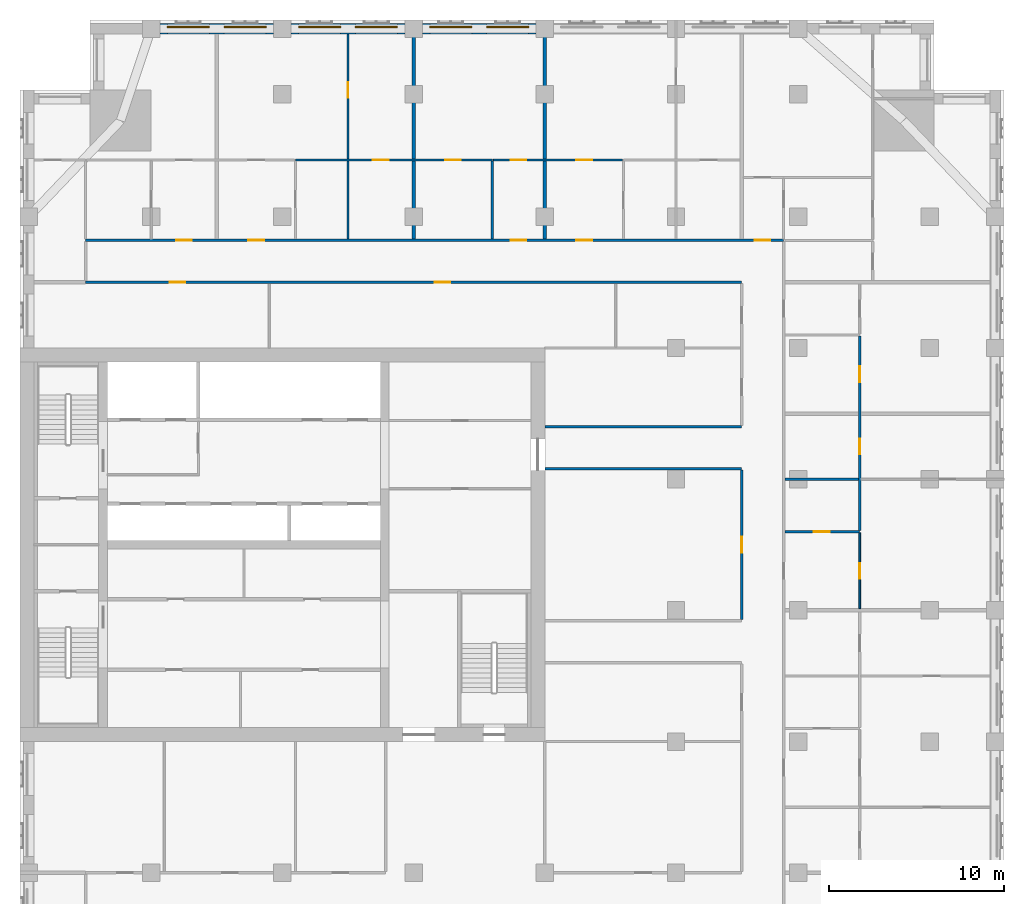
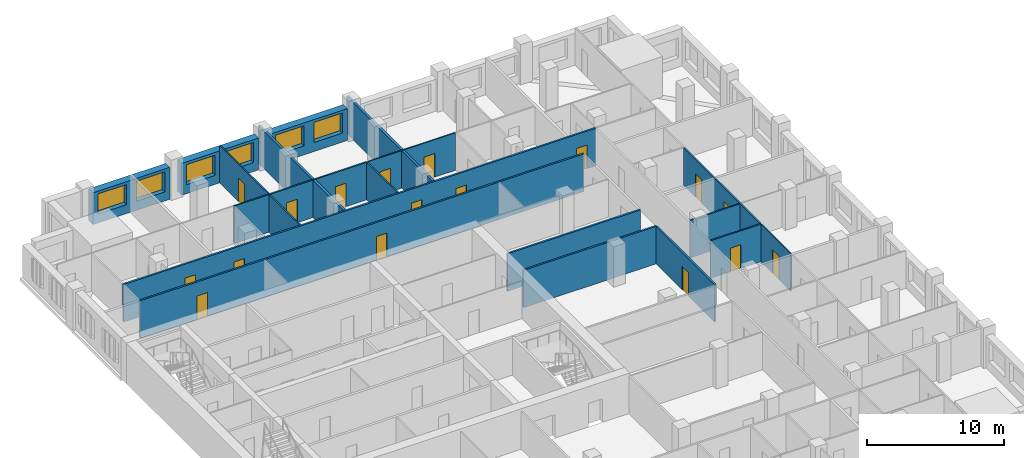
# One storey, part 9 of 13: 19 walls, 17 doors, 6 windows, 23 openings.
"""IFC4 building model written with IfcOpenShell, lengths in metres."""

from ifc_helpers import new_model, si_unit, direction, frame, frame_2d, origin, place, context, subcontext, project, spatial, rectangle, extrude, material, layer, layer_set, type_object, element, fill, save


model = new_model("IFC4")

# Units and contexts
model_context = context("Model", 3, precision=1e-05, world=origin(), true_north=direction((0.0, 1.0)))
body_context = subcontext(model_context, "Body", "Model", "MODEL_VIEW")
ifc_project = project(units=[si_unit("LENGTHUNIT", "METRE"), si_unit("AREAUNIT", "SQUARE_METRE"), si_unit("VOLUMEUNIT", "CUBIC_METRE"), si_unit("PLANEANGLEUNIT", "RADIAN"), si_unit("MASSUNIT", "GRAM", prefix="KILO")], contexts=[model_context])

# Site, building, storey
site_placement = place(None, origin())
site = spatial("IfcSite", under=ifc_project, at=site_placement, CompositionType="ELEMENT")
building_placement = place(site_placement, origin())
building = spatial("IfcBuilding", under=site, at=building_placement, Name="Tamorin Gate", CompositionType="ELEMENT")
storey_placement = place(building_placement, frame((0.0, 0.0, 159.0)))
storey = spatial("IfcBuildingStorey", under=building, at=storey_placement, Name="L39", CompositionType="ELEMENT", Elevation=159.0)

# Wall, openings, windows
ifc_material_1 = material(Name="Precast concrete C40/50", Category="concrete")
ifc_layer_1 = layer(ifc_material_1, 0.60009765625)
ifc_layer_set_1 = layer_set([ifc_layer_1], Name="Precast concrete C40/50")
wall_type_1 = type_object("IfcWallType", Name="Board-marked concrete facade panel 600", PredefinedType="SOLIDWALL", material=ifc_layer_set_1)
wall_1_placement = place(storey_placement, frame((59.5, 100.75, 0.0), z_axis=(0.0, 0.0, 1.0), x_axis=(-1.0, 0.0, 0.0)))
wall_1 = element("IfcWall", 1, at=wall_1_placement, inside=storey, type_object=wall_type_1, Name="Facade panel", PredefinedType="SOLIDWALL", context=body_context, shape_type="SweptSolid", body=[
    extrude(rectangle(XDim=6.5, YDim=0.60009765625, at=frame_2d((3.25, 0.0))), origin(), (0.0, 0.0, 1.0), 2.85009765625),
])
opening_1_placement = place(wall_1_placement, frame((3.675048828125, 0.0, 0.800048828125)))
opening_1 = element("IfcOpeningElement", 2, at=opening_1_placement, cuts=wall_1, Name="Opening WN1", PredefinedType="OPENING", context=body_context, shape_type="SweptSolid", body=[
    extrude(rectangle(XDim=2.39990234375, YDim=1.800048828125, at=frame_2d((1.199951171875, 0.89990234375))), frame((0.0, 0.31005859375, 0.0), z_axis=(0.0, -1.0, 0.0), x_axis=(1.0, 0.0, 0.0)), (0.0, 0.0, 1.0), 0.6201171875),
])
opening_2_placement = place(wall_1_placement, frame((0.425048828125, 0.0, 0.800048828125)))
opening_2 = element("IfcOpeningElement", 3, at=opening_2_placement, cuts=wall_1, Name="Opening WN1", PredefinedType="OPENING", context=body_context, shape_type="SweptSolid", body=[
    extrude(rectangle(XDim=2.39990234375, YDim=1.800048828125, at=frame_2d((1.199951171875, 0.89990234375))), frame((0.0, 0.31005859375, 0.0), z_axis=(0.0, -1.0, 0.0), x_axis=(1.0, 0.0, 0.0)), (0.0, 0.0, 1.0), 0.6201171875),
])
ifc_material_2 = material(Name="Clear glass in aluminium frame", Category="aluminium")
window_type = type_object("IfcWindowType", Name="Deep-set window 2400x1800", PartitioningType="SINGLE_PANEL", PredefinedType="WINDOW", material=ifc_material_2)
window_1_placement = place(opening_1_placement, origin())
window_1 = element("IfcWindow", 4, at=window_1_placement, inside=storey, type_object=window_type, Name="Deep-set window", OverallHeight=1.800048828125, OverallWidth=2.39990234375, PartitioningType="SINGLE_PANEL", PredefinedType="WINDOW", context=body_context, shape_type="SweptSolid", body=[
    extrude(rectangle(XDim=2.39990234375, YDim=1.800048828125, at=frame_2d((1.199951171875, 0.89990234375))), frame((0.0, -0.070068359375, 0.0), z_axis=(0.0, -1.0, 0.0), x_axis=(1.0, 0.0, 0.0)), (0.0, 0.0, 1.0), 0.06005859375),
])
fill(opening_1, window_1)
window_2_placement = place(opening_2_placement, origin())
window_2 = element("IfcWindow", 5, at=window_2_placement, inside=storey, type_object=window_type, Name="Deep-set window", OverallHeight=1.800048828125, OverallWidth=2.39990234375, PartitioningType="SINGLE_PANEL", PredefinedType="WINDOW", context=body_context, shape_type="SweptSolid", body=[
    extrude(rectangle(XDim=2.39990234375, YDim=1.800048828125, at=frame_2d((1.199951171875, 0.89990234375))), frame((0.0, -0.070068359375, 0.0), z_axis=(0.0, -1.0, 0.0), x_axis=(1.0, 0.0, 0.0)), (0.0, 0.0, 1.0), 0.06005859375),
])
fill(opening_2, window_2)

wall_2_placement = place(storey_placement, frame((52.0, 100.75, 0.0), z_axis=(0.0, 0.0, 1.0), x_axis=(-1.0, 0.0, 0.0)))
wall_2 = element("IfcWall", 6, at=wall_2_placement, inside=storey, type_object=wall_type_1, Name="Facade panel", PredefinedType="SOLIDWALL", context=body_context, shape_type="SweptSolid", body=[
    extrude(rectangle(XDim=6.5, YDim=0.60009765625, at=frame_2d((3.25, 0.0))), origin(), (0.0, 0.0, 1.0), 2.85009765625),
])
opening_3_placement = place(wall_2_placement, frame((3.675048828125, 0.0, 0.800048828125)))
opening_3 = element("IfcOpeningElement", 7, at=opening_3_placement, cuts=wall_2, Name="Opening WN1", PredefinedType="OPENING", context=body_context, shape_type="SweptSolid", body=[
    extrude(rectangle(XDim=2.39990234375, YDim=1.800048828125, at=frame_2d((1.199951171875, 0.89990234375))), frame((0.0, 0.31005859375, 0.0), z_axis=(0.0, -1.0, 0.0), x_axis=(1.0, 0.0, 0.0)), (0.0, 0.0, 1.0), 0.6201171875),
])
opening_4_placement = place(wall_2_placement, frame((0.425048828125, 0.0, 0.800048828125)))
opening_4 = element("IfcOpeningElement", 8, at=opening_4_placement, cuts=wall_2, Name="Opening WN1", PredefinedType="OPENING", context=body_context, shape_type="SweptSolid", body=[
    extrude(rectangle(XDim=2.39990234375, YDim=1.800048828125, at=frame_2d((1.199951171875, 0.89990234375))), frame((0.0, 0.31005859375, 0.0), z_axis=(0.0, -1.0, 0.0), x_axis=(1.0, 0.0, 0.0)), (0.0, 0.0, 1.0), 0.6201171875),
])
window_3_placement = place(opening_3_placement, origin())
window_3 = element("IfcWindow", 9, at=window_3_placement, inside=storey, type_object=window_type, Name="Deep-set window", OverallHeight=1.800048828125, OverallWidth=2.39990234375, PartitioningType="SINGLE_PANEL", PredefinedType="WINDOW", context=body_context, shape_type="SweptSolid", body=[
    extrude(rectangle(XDim=2.39990234375, YDim=1.800048828125, at=frame_2d((1.199951171875, 0.89990234375))), frame((0.0, -0.070068359375, 0.0), z_axis=(0.0, -1.0, 0.0), x_axis=(1.0, 0.0, 0.0)), (0.0, 0.0, 1.0), 0.06005859375),
])
fill(opening_3, window_3)
window_4_placement = place(opening_4_placement, origin())
window_4 = element("IfcWindow", 10, at=window_4_placement, inside=storey, type_object=window_type, Name="Deep-set window", OverallHeight=1.800048828125, OverallWidth=2.39990234375, PartitioningType="SINGLE_PANEL", PredefinedType="WINDOW", context=body_context, shape_type="SweptSolid", body=[
    extrude(rectangle(XDim=2.39990234375, YDim=1.800048828125, at=frame_2d((1.199951171875, 0.89990234375))), frame((0.0, -0.070068359375, 0.0), z_axis=(0.0, -1.0, 0.0), x_axis=(1.0, 0.0, 0.0)), (0.0, 0.0, 1.0), 0.06005859375),
])
fill(opening_4, window_4)

wall_3_placement = place(storey_placement, frame((44.5, 100.75, 0.0), z_axis=(0.0, 0.0, 1.0), x_axis=(-1.0, 0.0, 0.0)))
wall_3 = element("IfcWall", 11, at=wall_3_placement, inside=storey, type_object=wall_type_1, Name="Facade panel", PredefinedType="SOLIDWALL", context=body_context, shape_type="SweptSolid", body=[
    extrude(rectangle(XDim=6.5, YDim=0.60009765625, at=frame_2d((3.25, 0.0))), origin(), (0.0, 0.0, 1.0), 2.85009765625),
])
opening_5_placement = place(wall_3_placement, frame((3.675048828125, 0.0, 0.800048828125)))
opening_5 = element("IfcOpeningElement", 12, at=opening_5_placement, cuts=wall_3, Name="Opening WN1", PredefinedType="OPENING", context=body_context, shape_type="SweptSolid", body=[
    extrude(rectangle(XDim=2.39990234375, YDim=1.800048828125, at=frame_2d((1.199951171875, 0.89990234375))), frame((0.0, 0.31005859375, 0.0), z_axis=(0.0, -1.0, 0.0), x_axis=(1.0, 0.0, 0.0)), (0.0, 0.0, 1.0), 0.6201171875),
])
opening_6_placement = place(wall_3_placement, frame((0.425048828125, 0.0, 0.800048828125)))
opening_6 = element("IfcOpeningElement", 13, at=opening_6_placement, cuts=wall_3, Name="Opening WN1", PredefinedType="OPENING", context=body_context, shape_type="SweptSolid", body=[
    extrude(rectangle(XDim=2.39990234375, YDim=1.800048828125, at=frame_2d((1.199951171875, 0.89990234375))), frame((0.0, 0.31005859375, 0.0), z_axis=(0.0, -1.0, 0.0), x_axis=(1.0, 0.0, 0.0)), (0.0, 0.0, 1.0), 0.6201171875),
])
window_5_placement = place(opening_5_placement, origin())
window_5 = element("IfcWindow", 14, at=window_5_placement, inside=storey, type_object=window_type, Name="Deep-set window", OverallHeight=1.800048828125, OverallWidth=2.39990234375, PartitioningType="SINGLE_PANEL", PredefinedType="WINDOW", context=body_context, shape_type="SweptSolid", body=[
    extrude(rectangle(XDim=2.39990234375, YDim=1.800048828125, at=frame_2d((1.199951171875, 0.89990234375))), frame((0.0, -0.070068359375, 0.0), z_axis=(0.0, -1.0, 0.0), x_axis=(1.0, 0.0, 0.0)), (0.0, 0.0, 1.0), 0.06005859375),
])
fill(opening_5, window_5)
window_6_placement = place(opening_6_placement, origin())
window_6 = element("IfcWindow", 15, at=window_6_placement, inside=storey, type_object=window_type, Name="Deep-set window", OverallHeight=1.800048828125, OverallWidth=2.39990234375, PartitioningType="SINGLE_PANEL", PredefinedType="WINDOW", context=body_context, shape_type="SweptSolid", body=[
    extrude(rectangle(XDim=2.39990234375, YDim=1.800048828125, at=frame_2d((1.199951171875, 0.89990234375))), frame((0.0, -0.070068359375, 0.0), z_axis=(0.0, -1.0, 0.0), x_axis=(1.0, 0.0, 0.0)), (0.0, 0.0, 1.0), 0.06005859375),
])
fill(opening_6, window_6)

# Wall, openings, doors
ifc_material_3 = material(Name="Gypsum board partition")
ifc_layer_2 = layer(ifc_material_3, 0.14990234375)
ifc_layer_set_2 = layer_set([ifc_layer_2], Name="Corridor wall 150")
wall_type_2 = type_object("IfcWallType", Name="Corridor wall 150", PredefinedType="PARTITIONING", material=ifc_layer_set_2)
wall_4_placement = place(storey_placement, frame((33.75, 86.25, 0.0), z_axis=(0.0, 0.0, 1.0), x_axis=(1.0, 0.0, 0.0)))
wall_4 = element("IfcWall", 16, at=wall_4_placement, inside=storey, type_object=wall_type_2, Name="Corridor wall 150", PredefinedType="PARTITIONING", context=body_context, shape_type="SweptSolid", body=[
    extrude(rectangle(XDim=37.5, YDim=0.14990234375, at=frame_2d((18.75, 0.0))), origin(), (0.0, 0.0, 1.0), 3.35009765625),
])
opening_7_placement = place(wall_4_placement, frame((4.800048828125, 0.0, 0.0)))
opening_7 = element("IfcOpeningElement", 17, at=opening_7_placement, cuts=wall_4, Name="Opening DS1067", PredefinedType="OPENING", context=body_context, shape_type="SweptSolid", body=[
    extrude(rectangle(XDim=0.89990234375, YDim=2.10009765625, at=frame_2d((0.449951171875, 1.050048828125))), frame((0.0, 0.0849609375, 0.0), z_axis=(0.0, -1.0, 0.0), x_axis=(1.0, 0.0, 0.0)), (0.0, 0.0, 1.0), 0.169921875),
])
opening_8_placement = place(wall_4_placement, frame((19.949951171875, 0.0, 0.0)))
opening_8 = element("IfcOpeningElement", 18, at=opening_8_placement, cuts=wall_4, Name="Opening DS1068", PredefinedType="OPENING", context=body_context, shape_type="SweptSolid", body=[
    extrude(rectangle(XDim=0.89990234375, YDim=2.10009765625, at=frame_2d((0.449951171875, 1.050048828125))), frame((0.0, 0.0849609375, 0.0), z_axis=(0.0, -1.0, 0.0), x_axis=(1.0, 0.0, 0.0)), (0.0, 0.0, 1.0), 0.169921875),
])
ifc_material_4 = material(Name="Timber door leaf", Category="wood")
door_type_1 = type_object("IfcDoorType", Name="Door 900 x 2100 FD30S", OperationType="NOTDEFINED", PredefinedType="DOOR", material=ifc_material_4)
door_1_placement = place(opening_7_placement, origin())
door_1 = element("IfcDoor", 19, at=door_1_placement, inside=storey, type_object=door_type_1, Name="Door DS1067", OperationType="SINGLE_SWING_RIGHT", OverallHeight=2.10009765625, OverallWidth=0.89990234375, PredefinedType="DOOR", context=body_context, shape_type="SweptSolid", body=[
    extrude(rectangle(XDim=0.89990234375, YDim=2.10009765625, at=frame_2d((0.449951171875, 1.050048828125))), frame((0.0, 0.02490234375, 0.0), z_axis=(0.0, -1.0, 0.0), x_axis=(1.0, 0.0, 0.0)), (0.0, 0.0, 1.0), 0.050048828125),
])
fill(opening_7, door_1)
door_2_placement = place(opening_8_placement, origin())
door_2 = element("IfcDoor", 20, at=door_2_placement, inside=storey, type_object=door_type_1, Name="Door DS1068", OperationType="SINGLE_SWING_RIGHT", OverallHeight=2.10009765625, OverallWidth=0.89990234375, PredefinedType="DOOR", context=body_context, shape_type="SweptSolid", body=[
    extrude(rectangle(XDim=0.89990234375, YDim=2.10009765625, at=frame_2d((0.449951171875, 1.050048828125))), frame((0.0, 0.02490234375, 0.0), z_axis=(0.0, -1.0, 0.0), x_axis=(1.0, 0.0, 0.0)), (0.0, 0.0, 1.0), 0.050048828125),
])
fill(opening_8, door_2)

wall_5_placement = place(storey_placement, frame((33.75, 88.64990234375, 0.0), z_axis=(0.0, 0.0, 1.0), x_axis=(1.0, 0.0, 0.0)))
wall_5 = element("IfcWall", 21, at=wall_5_placement, inside=storey, type_object=wall_type_2, Name="Corridor wall 150", PredefinedType="PARTITIONING", context=body_context, shape_type="SweptSolid", body=[
    extrude(rectangle(XDim=39.89990234375, YDim=0.14990234375, at=frame_2d((19.949951171875, 0.0))), origin(), (0.0, 0.0, 1.0), 3.35009765625),
])
opening_9_placement = place(wall_5_placement, frame((5.175048828125, 0.0, 0.0)))
opening_9 = element("IfcOpeningElement", 22, at=opening_9_placement, cuts=wall_5, Name="Opening DS1021", PredefinedType="OPENING", context=body_context, shape_type="SweptSolid", body=[
    extrude(rectangle(XDim=0.89990234375, YDim=2.10009765625, at=frame_2d((0.449951171875, 1.050048828125))), frame((0.0, 0.0849609375, 0.0), z_axis=(0.0, -1.0, 0.0), x_axis=(1.0, 0.0, 0.0)), (0.0, 0.0, 1.0), 0.169921875),
])
opening_10_placement = place(wall_5_placement, frame((9.300048828125, 0.0, 0.0)))
opening_10 = element("IfcOpeningElement", 23, at=opening_10_placement, cuts=wall_5, Name="Opening DS1023", PredefinedType="OPENING", context=body_context, shape_type="SweptSolid", body=[
    extrude(rectangle(XDim=0.89990234375, YDim=2.10009765625, at=frame_2d((0.449951171875, 1.050048828125))), frame((0.0, 0.0849609375, 0.0), z_axis=(0.0, -1.0, 0.0), x_axis=(1.0, 0.0, 0.0)), (0.0, 0.0, 1.0), 0.169921875),
])
opening_11_placement = place(wall_5_placement, frame((24.300048828125, 0.0, 0.0)))
opening_11 = element("IfcOpeningElement", 24, at=opening_11_placement, cuts=wall_5, Name="Opening DS1029", PredefinedType="OPENING", context=body_context, shape_type="SweptSolid", body=[
    extrude(rectangle(XDim=0.89990234375, YDim=2.10009765625, at=frame_2d((0.449951171875, 1.050048828125))), frame((0.0, 0.0849609375, 0.0), z_axis=(0.0, -1.0, 0.0), x_axis=(1.0, 0.0, 0.0)), (0.0, 0.0, 1.0), 0.169921875),
])
opening_12_placement = place(wall_5_placement, frame((28.050048828125, 0.0, 0.0)))
opening_12 = element("IfcOpeningElement", 25, at=opening_12_placement, cuts=wall_5, Name="Opening DS1031", PredefinedType="OPENING", context=body_context, shape_type="SweptSolid", body=[
    extrude(rectangle(XDim=0.89990234375, YDim=2.10009765625, at=frame_2d((0.449951171875, 1.050048828125))), frame((0.0, 0.0849609375, 0.0), z_axis=(0.0, -1.0, 0.0), x_axis=(1.0, 0.0, 0.0)), (0.0, 0.0, 1.0), 0.169921875),
])
opening_13_placement = place(wall_5_placement, frame((38.25, 0.0, 0.0)))
opening_13 = element("IfcOpeningElement", 26, at=opening_13_placement, cuts=wall_5, Name="Opening DS1057", PredefinedType="OPENING", context=body_context, shape_type="SweptSolid", body=[
    extrude(rectangle(XDim=0.89990234375, YDim=2.10009765625, at=frame_2d((0.449951171875, 1.050048828125))), frame((0.0, 0.0849609375, 0.0), z_axis=(0.0, -1.0, 0.0), x_axis=(1.0, 0.0, 0.0)), (0.0, 0.0, 1.0), 0.169921875),
])
door_3_placement = place(opening_9_placement, origin())
door_3 = element("IfcDoor", 27, at=door_3_placement, inside=storey, type_object=door_type_1, Name="Door DS1021", OperationType="SINGLE_SWING_LEFT", OverallHeight=2.10009765625, OverallWidth=0.89990234375, PredefinedType="DOOR", context=body_context, shape_type="SweptSolid", body=[
    extrude(rectangle(XDim=0.89990234375, YDim=2.10009765625, at=frame_2d((0.449951171875, 1.050048828125))), frame((0.0, 0.02490234375, 0.0), z_axis=(0.0, -1.0, 0.0), x_axis=(1.0, 0.0, 0.0)), (0.0, 0.0, 1.0), 0.050048828125),
])
fill(opening_9, door_3)
door_4_placement = place(opening_10_placement, origin())
door_4 = element("IfcDoor", 28, at=door_4_placement, inside=storey, type_object=door_type_1, Name="Door DS1023", OperationType="SINGLE_SWING_LEFT", OverallHeight=2.10009765625, OverallWidth=0.89990234375, PredefinedType="DOOR", context=body_context, shape_type="SweptSolid", body=[
    extrude(rectangle(XDim=0.89990234375, YDim=2.10009765625, at=frame_2d((0.449951171875, 1.050048828125))), frame((0.0, 0.02490234375, 0.0), z_axis=(0.0, -1.0, 0.0), x_axis=(1.0, 0.0, 0.0)), (0.0, 0.0, 1.0), 0.050048828125),
])
fill(opening_10, door_4)
door_5_placement = place(opening_11_placement, origin())
door_5 = element("IfcDoor", 29, at=door_5_placement, inside=storey, type_object=door_type_1, Name="Door DS1029", OperationType="SINGLE_SWING_LEFT", OverallHeight=2.10009765625, OverallWidth=0.89990234375, PredefinedType="DOOR", context=body_context, shape_type="SweptSolid", body=[
    extrude(rectangle(XDim=0.89990234375, YDim=2.10009765625, at=frame_2d((0.449951171875, 1.050048828125))), frame((0.0, 0.02490234375, 0.0), z_axis=(0.0, -1.0, 0.0), x_axis=(1.0, 0.0, 0.0)), (0.0, 0.0, 1.0), 0.050048828125),
])
fill(opening_11, door_5)
door_6_placement = place(opening_12_placement, origin())
door_6 = element("IfcDoor", 30, at=door_6_placement, inside=storey, type_object=door_type_1, Name="Door DS1031", OperationType="SINGLE_SWING_LEFT", OverallHeight=2.10009765625, OverallWidth=0.89990234375, PredefinedType="DOOR", context=body_context, shape_type="SweptSolid", body=[
    extrude(rectangle(XDim=0.89990234375, YDim=2.10009765625, at=frame_2d((0.449951171875, 1.050048828125))), frame((0.0, 0.02490234375, 0.0), z_axis=(0.0, -1.0, 0.0), x_axis=(1.0, 0.0, 0.0)), (0.0, 0.0, 1.0), 0.050048828125),
])
fill(opening_12, door_6)
door_7_placement = place(opening_13_placement, origin())
door_7 = element("IfcDoor", 31, at=door_7_placement, inside=storey, type_object=door_type_1, Name="Door DS1057", OperationType="SINGLE_SWING_RIGHT", OverallHeight=2.10009765625, OverallWidth=0.89990234375, PredefinedType="DOOR", context=body_context, shape_type="SweptSolid", body=[
    extrude(rectangle(XDim=0.89990234375, YDim=2.10009765625, at=frame_2d((0.449951171875, 1.050048828125))), frame((0.0, 0.02490234375, 0.0), z_axis=(0.0, -1.0, 0.0), x_axis=(1.0, 0.0, 0.0)), (0.0, 0.0, 1.0), 0.050048828125),
])
fill(opening_13, door_7)

# Wall, opening, door
wall_6_placement = place(storey_placement, frame((71.25, 66.97509765625, 0.0), z_axis=(0.0, 0.0, 1.0), x_axis=(0.0, 1.0, 0.0)))
wall_6 = element("IfcWall", 32, at=wall_6_placement, inside=storey, type_object=wall_type_2, Name="Corridor wall 150", PredefinedType="PARTITIONING", context=body_context, shape_type="SweptSolid", body=[
    extrude(rectangle(XDim=8.5498046875, YDim=0.14990234375, at=frame_2d((4.27490234375, 0.0))), origin(), (0.0, 0.0, 1.0), 3.35009765625),
])
opening_14_placement = place(wall_6_placement, frame((3.824951171875, 0.0, 0.0)))
opening_14 = element("IfcOpeningElement", 33, at=opening_14_placement, cuts=wall_6, Name="Opening DS1071", PredefinedType="OPENING", context=body_context, shape_type="SweptSolid", body=[
    extrude(rectangle(XDim=0.89990234375, YDim=2.10009765625, at=frame_2d((0.449951171875, 1.050048828125))), frame((0.0, 0.0849609375, 0.0), z_axis=(0.0, -1.0, 0.0), x_axis=(1.0, 0.0, 0.0)), (0.0, 0.0, 1.0), 0.169921875),
])
door_8_placement = place(opening_14_placement, origin())
door_8 = element("IfcDoor", 34, at=door_8_placement, inside=storey, type_object=door_type_1, Name="Door DS1071", OperationType="SINGLE_SWING_LEFT", OverallHeight=2.10009765625, OverallWidth=0.89990234375, PredefinedType="DOOR", context=body_context, shape_type="SweptSolid", body=[
    extrude(rectangle(XDim=0.89990234375, YDim=2.10009765625, at=frame_2d((0.449951171875, 1.050048828125))), frame((0.0, 0.02490234375, 0.0), z_axis=(0.0, -1.0, 0.0), x_axis=(1.0, 0.0, 0.0)), (0.0, 0.0, 1.0), 0.050048828125),
])
fill(opening_14, door_8)

# Walls
ifc_layer_3 = layer(ifc_material_3, 0.199951171875)
ifc_layer_set_3 = layer_set([ifc_layer_3], Name="Demising wall 200")
wall_type_3 = type_object("IfcWallType", Name="Demising wall 200", PredefinedType="PARTITIONING", material=ifc_layer_set_3)
for number, where, z_axis, x_axis, name in (
    (35, (52.5, 88.72509765625, 0.0), (0.0, 0.0, 1.0), (0.0, 1.0, 0.0), "Demising wall 200"),
    (36, (60.0, 88.72509765625, 0.0), (0.0, 0.0, 1.0), (0.0, 1.0, 0.0), "Demising wall 200"),
):
    element("IfcWall", number, at=place(storey_placement, frame(where, z_axis=z_axis, x_axis=x_axis)), inside=storey, type_object=wall_type_3, Name=name, PredefinedType="PARTITIONING", context=body_context, shape_type="SweptSolid", body=[
        extrude(rectangle(XDim=12.52490234375, YDim=0.199951171875, at=frame_2d((6.262451171875, 0.0))), origin(), (0.0, 0.0, 1.0), 3.35009765625),
    ])
ifc_layer_4 = layer(ifc_material_3, 0.14990234375)
ifc_layer_set_4 = layer_set([ifc_layer_4], Name="Lobby wall 150")
wall_type_4 = type_object("IfcWallType", Name="Lobby wall 150", PredefinedType="PARTITIONING", material=ifc_layer_set_4)
for number, where, z_axis, x_axis, name in (
    (37, (60.0, 75.60009765625, 0.0), (0.0, 0.0, 1.0), (1.0, 0.0, 0.0), "Lobby wall 150"),
    (38, (60.0, 78.0, 0.0), (0.0, 0.0, 1.0), (1.0, 0.0, 0.0), "Lobby wall 150"),
):
    element("IfcWall", number, at=place(storey_placement, frame(where, z_axis=z_axis, x_axis=x_axis)), inside=storey, type_object=wall_type_4, Name=name, PredefinedType="PARTITIONING", context=body_context, shape_type="SweptSolid", body=[
        extrude(rectangle(XDim=11.25, YDim=0.14990234375, at=frame_2d((5.625, 0.0))), origin(), (0.0, 0.0, 1.0), 3.35009765625),
    ])

# Wall, openings, doors
ifc_layer_5 = layer(ifc_material_3, 0.10009765625)
ifc_layer_set_5 = layer_set([ifc_layer_5], Name="Room partition 100")
wall_type_5 = type_object("IfcWallType", Name="Room partition 100", PredefinedType="PARTITIONING", material=ifc_layer_set_5)
wall_7_placement = place(storey_placement, frame((57.0625, 93.25, 0.0), z_axis=(0.0, 0.0, 1.0), x_axis=(1.0, 0.0, 0.0)))
wall_7 = element("IfcWall", 39, at=wall_7_placement, inside=storey, type_object=wall_type_5, Name="Room partition 100", PredefinedType="PARTITIONING", context=body_context, shape_type="SweptSolid", body=[
    extrude(rectangle(XDim=7.375, YDim=0.10009765625, at=frame_2d((3.6875, 0.0))), origin(), (0.0, 0.0, 1.0), 3.35009765625),
])
opening_15_placement = place(wall_7_placement, frame((0.987548828125, 0.0, 0.0)))
opening_15 = element("IfcOpeningElement", 40, at=opening_15_placement, cuts=wall_7, Name="Opening DS1030", PredefinedType="OPENING", context=body_context, shape_type="SweptSolid", body=[
    extrude(rectangle(XDim=0.89990234375, YDim=2.10009765625, at=frame_2d((0.449951171875, 1.050048828125))), frame((0.0, 0.06005859375, 0.0), z_axis=(0.0, -1.0, 0.0), x_axis=(1.0, 0.0, 0.0)), (0.0, 0.0, 1.0), 0.1201171875),
])
opening_16_placement = place(wall_7_placement, frame((4.737548828125, 0.0, 0.0)))
opening_16 = element("IfcOpeningElement", 41, at=opening_16_placement, cuts=wall_7, Name="Opening DS1032", PredefinedType="OPENING", context=body_context, shape_type="SweptSolid", body=[
    extrude(rectangle(XDim=0.89990234375, YDim=2.10009765625, at=frame_2d((0.449951171875, 1.050048828125))), frame((0.0, 0.06005859375, 0.0), z_axis=(0.0, -1.0, 0.0), x_axis=(1.0, 0.0, 0.0)), (0.0, 0.0, 1.0), 0.1201171875),
])
door_type_2 = type_object("IfcDoorType", Name="Door 900 x 2100", OperationType="NOTDEFINED", PredefinedType="DOOR", material=ifc_material_4)
door_9_placement = place(opening_15_placement, origin())
door_9 = element("IfcDoor", 42, at=door_9_placement, inside=storey, type_object=door_type_2, Name="Door DS1030", OperationType="SINGLE_SWING_RIGHT", OverallHeight=2.10009765625, OverallWidth=0.89990234375, PredefinedType="DOOR", context=body_context, shape_type="SweptSolid", body=[
    extrude(rectangle(XDim=0.89990234375, YDim=2.10009765625, at=frame_2d((0.449951171875, 1.050048828125))), frame((0.0, 0.02490234375, 0.0), z_axis=(0.0, -1.0, 0.0), x_axis=(1.0, 0.0, 0.0)), (0.0, 0.0, 1.0), 0.050048828125),
])
fill(opening_15, door_9)
door_10_placement = place(opening_16_placement, origin())
door_10 = element("IfcDoor", 43, at=door_10_placement, inside=storey, type_object=door_type_2, Name="Door DS1032", OperationType="SINGLE_SWING_RIGHT", OverallHeight=2.10009765625, OverallWidth=0.89990234375, PredefinedType="DOOR", context=body_context, shape_type="SweptSolid", body=[
    extrude(rectangle(XDim=0.89990234375, YDim=2.10009765625, at=frame_2d((0.449951171875, 1.050048828125))), frame((0.0, 0.02490234375, 0.0), z_axis=(0.0, -1.0, 0.0), x_axis=(1.0, 0.0, 0.0)), (0.0, 0.0, 1.0), 0.050048828125),
])
fill(opening_16, door_10)

# Wall, opening, door
wall_8_placement = place(storey_placement, frame((48.75, 93.3125, 0.0), z_axis=(0.0, 0.0, 1.0), x_axis=(0.0, 1.0, 0.0)))
wall_8 = element("IfcWall", 44, at=wall_8_placement, inside=storey, type_object=wall_type_5, Name="Room partition 100", PredefinedType="PARTITIONING", context=body_context, shape_type="SweptSolid", body=[
    extrude(rectangle(XDim=7.12744140625, YDim=0.10009765625, at=frame_2d((3.563720703125, 0.0))), origin(), (0.0, 0.0, 1.0), 3.35009765625),
])
opening_17_placement = place(wall_8_placement, frame((3.487548828125, 0.0, 0.0)))
opening_17 = element("IfcOpeningElement", 45, at=opening_17_placement, cuts=wall_8, Name="Opening DS1027", PredefinedType="OPENING", context=body_context, shape_type="SweptSolid", body=[
    extrude(rectangle(XDim=0.89990234375, YDim=2.10009765625, at=frame_2d((0.449951171875, 1.050048828125))), frame((0.0, 0.06005859375, 0.0), z_axis=(0.0, -1.0, 0.0), x_axis=(1.0, 0.0, 0.0)), (0.0, 0.0, 1.0), 0.1201171875),
])
door_11_placement = place(opening_17_placement, origin())
door_11 = element("IfcDoor", 46, at=door_11_placement, inside=storey, type_object=door_type_2, Name="Door DS1027", OperationType="SINGLE_SWING_LEFT", OverallHeight=2.10009765625, OverallWidth=0.89990234375, PredefinedType="DOOR", context=body_context, shape_type="SweptSolid", body=[
    extrude(rectangle(XDim=0.89990234375, YDim=2.10009765625, at=frame_2d((0.449951171875, 1.050048828125))), frame((0.0, 0.02490234375, 0.0), z_axis=(0.0, -1.0, 0.0), x_axis=(1.0, 0.0, 0.0)), (0.0, 0.0, 1.0), 0.050048828125),
])
fill(opening_17, door_11)

wall_9_placement = place(storey_placement, frame((78.0, 67.60009765625, 0.0), z_axis=(0.0, 0.0, 1.0), x_axis=(0.0, 1.0, 0.0)))
wall_9 = element("IfcWall", 47, at=wall_9_placement, inside=storey, type_object=wall_type_5, Name="Room partition 100", PredefinedType="PARTITIONING", context=body_context, shape_type="SweptSolid", body=[
    extrude(rectangle(XDim=4.33740234375, YDim=0.10009765625, at=frame_2d((2.168701171875, 0.0))), origin(), (0.0, 0.0, 1.0), 3.35009765625),
])
opening_18_placement = place(wall_9_placement, frame((1.699951171875, 0.0, 0.0)))
opening_18 = element("IfcOpeningElement", 48, at=opening_18_placement, cuts=wall_9, Name="Opening DS1044", PredefinedType="OPENING", context=body_context, shape_type="SweptSolid", body=[
    extrude(rectangle(XDim=0.89990234375, YDim=2.10009765625, at=frame_2d((0.449951171875, 1.050048828125))), frame((0.0, 0.06005859375, 0.0), z_axis=(0.0, -1.0, 0.0), x_axis=(1.0, 0.0, 0.0)), (0.0, 0.0, 1.0), 0.1201171875),
])
door_12_placement = place(opening_18_placement, origin())
door_12 = element("IfcDoor", 49, at=door_12_placement, inside=storey, type_object=door_type_2, Name="Door DS1044", OperationType="SINGLE_SWING_LEFT", OverallHeight=2.10009765625, OverallWidth=0.89990234375, PredefinedType="DOOR", context=body_context, shape_type="SweptSolid", body=[
    extrude(rectangle(XDim=0.89990234375, YDim=2.10009765625, at=frame_2d((0.449951171875, 1.050048828125))), frame((0.0, 0.02490234375, 0.0), z_axis=(0.0, -1.0, 0.0), x_axis=(1.0, 0.0, 0.0)), (0.0, 0.0, 1.0), 0.050048828125),
])
fill(opening_18, door_12)

ifc_layer_6 = layer(ifc_material_3, 0.125)
ifc_layer_set_6 = layer_set([ifc_layer_6], Name="Wet wall 125")
wall_type_6 = type_object("IfcWallType", Name="Wet wall 125", PredefinedType="PARTITIONING", material=ifc_layer_set_6)
wall_10_placement = place(storey_placement, frame((73.72509765625, 72.0, 0.0), z_axis=(0.0, 0.0, 1.0), x_axis=(1.0, 0.0, 0.0)))
wall_10 = element("IfcWall", 50, at=wall_10_placement, inside=storey, type_object=wall_type_6, Name="Wet wall 125", PredefinedType="PARTITIONING", context=body_context, shape_type="SweptSolid", body=[
    extrude(rectangle(XDim=4.27490234375, YDim=0.125, at=frame_2d((2.137451171875, 0.0))), origin(), (0.0, 0.0, 1.0), 3.35009765625),
])
opening_19_placement = place(wall_10_placement, frame((1.64990234375, 0.0, 0.0)))
opening_19 = element("IfcOpeningElement", 51, at=opening_19_placement, cuts=wall_10, Name="Opening DS1045", PredefinedType="OPENING", context=body_context, shape_type="SweptSolid", body=[
    extrude(rectangle(XDim=0.89990234375, YDim=2.10009765625, at=frame_2d((0.449951171875, 1.050048828125))), frame((0.0, 0.072509765625, 0.0), z_axis=(0.0, -1.0, 0.0), x_axis=(1.0, 0.0, 0.0)), (0.0, 0.0, 1.0), 0.14501953125),
])
door_13_placement = place(opening_19_placement, origin())
door_13 = element("IfcDoor", 52, at=door_13_placement, inside=storey, type_object=door_type_2, Name="Door DS1045", OperationType="SINGLE_SWING_RIGHT", OverallHeight=2.10009765625, OverallWidth=0.89990234375, PredefinedType="DOOR", context=body_context, shape_type="SweptSolid", body=[
    extrude(rectangle(XDim=0.89990234375, YDim=2.10009765625, at=frame_2d((0.449951171875, 1.050048828125))), frame((0.0, 0.02490234375, 0.0), z_axis=(0.0, -1.0, 0.0), x_axis=(1.0, 0.0, 0.0)), (0.0, 0.0, 1.0), 0.050048828125),
])
fill(opening_19, door_13)

# Wall
wall_11_placement = place(storey_placement, frame((73.72509765625, 75.0, 0.0), z_axis=(0.0, 0.0, 1.0), x_axis=(1.0, 0.0, 0.0)))
element("IfcWall", 53, at=wall_11_placement, inside=storey, type_object=wall_type_6, Name="Wet wall 125", PredefinedType="PARTITIONING", context=body_context, shape_type="SweptSolid", body=[
    extrude(rectangle(XDim=4.21240234375, YDim=0.125, at=frame_2d((2.106201171875, 0.0))), origin(), (0.0, 0.0, 1.0), 3.35009765625),
])

# Wall, openings, doors
wall_12_placement = place(storey_placement, frame((45.75, 93.25, 0.0), z_axis=(0.0, 0.0, 1.0), x_axis=(1.0, 0.0, 0.0)))
wall_12 = element("IfcWall", 54, at=wall_12_placement, inside=storey, type_object=wall_type_6, Name="Wet wall 125", PredefinedType="PARTITIONING", context=body_context, shape_type="SweptSolid", body=[
    extrude(rectangle(XDim=11.25, YDim=0.125, at=frame_2d((5.625, 0.0))), origin(), (0.0, 0.0, 1.0), 3.35009765625),
])
opening_20_placement = place(wall_12_placement, frame((4.425048828125, 0.0, 0.0)))
opening_20 = element("IfcOpeningElement", 55, at=opening_20_placement, cuts=wall_12, Name="Opening DS1026", PredefinedType="OPENING", context=body_context, shape_type="SweptSolid", body=[
    extrude(rectangle(XDim=0.89990234375, YDim=2.10009765625, at=frame_2d((0.449951171875, 1.050048828125))), frame((0.0, 0.072509765625, 0.0), z_axis=(0.0, -1.0, 0.0), x_axis=(1.0, 0.0, 0.0)), (0.0, 0.0, 1.0), 0.14501953125),
])
opening_21_placement = place(wall_12_placement, frame((8.550048828125, 0.0, 0.0)))
opening_21 = element("IfcOpeningElement", 56, at=opening_21_placement, cuts=wall_12, Name="Opening DS1028", PredefinedType="OPENING", context=body_context, shape_type="SweptSolid", body=[
    extrude(rectangle(XDim=0.89990234375, YDim=2.10009765625, at=frame_2d((0.449951171875, 1.050048828125))), frame((0.0, 0.072509765625, 0.0), z_axis=(0.0, -1.0, 0.0), x_axis=(1.0, 0.0, 0.0)), (0.0, 0.0, 1.0), 0.14501953125),
])
door_14_placement = place(opening_20_placement, origin())
door_14 = element("IfcDoor", 57, at=door_14_placement, inside=storey, type_object=door_type_2, Name="Door DS1026", OperationType="SINGLE_SWING_RIGHT", OverallHeight=2.10009765625, OverallWidth=0.89990234375, PredefinedType="DOOR", context=body_context, shape_type="SweptSolid", body=[
    extrude(rectangle(XDim=0.89990234375, YDim=2.10009765625, at=frame_2d((0.449951171875, 1.050048828125))), frame((0.0, 0.02490234375, 0.0), z_axis=(0.0, -1.0, 0.0), x_axis=(1.0, 0.0, 0.0)), (0.0, 0.0, 1.0), 0.050048828125),
])
fill(opening_20, door_14)
door_15_placement = place(opening_21_placement, origin())
door_15 = element("IfcDoor", 58, at=door_15_placement, inside=storey, type_object=door_type_2, Name="Door DS1028", OperationType="SINGLE_SWING_RIGHT", OverallHeight=2.10009765625, OverallWidth=0.89990234375, PredefinedType="DOOR", context=body_context, shape_type="SweptSolid", body=[
    extrude(rectangle(XDim=0.89990234375, YDim=2.10009765625, at=frame_2d((0.449951171875, 1.050048828125))), frame((0.0, 0.02490234375, 0.0), z_axis=(0.0, -1.0, 0.0), x_axis=(1.0, 0.0, 0.0)), (0.0, 0.0, 1.0), 0.050048828125),
])
fill(opening_21, door_15)

# Walls
for number, where, z_axis, x_axis, name in (
    (59, (48.75, 88.72509765625, 0.0), (0.0, 0.0, 1.0), (0.0, 1.0, 0.0), "Wet wall 125"),
    (60, (57.0, 88.72509765625, 0.0), (0.0, 0.0, 1.0), (0.0, 1.0, 0.0), "Wet wall 125"),
):
    element("IfcWall", number, at=place(storey_placement, frame(where, z_axis=z_axis, x_axis=x_axis)), inside=storey, type_object=wall_type_6, Name=name, PredefinedType="PARTITIONING", context=body_context, shape_type="SweptSolid", body=[
        extrude(rectangle(XDim=4.46240234375, YDim=0.125, at=frame_2d((2.231201171875, 0.0))), origin(), (0.0, 0.0, 1.0), 3.35009765625),
    ])

# Wall, openings, doors
wall_13_placement = place(storey_placement, frame((78.0, 72.0625, 0.0), z_axis=(0.0, 0.0, 1.0), x_axis=(0.0, 1.0, 0.0)))
wall_13 = element("IfcWall", 61, at=wall_13_placement, inside=storey, type_object=wall_type_6, Name="Wet wall 125", PredefinedType="PARTITIONING", context=body_context, shape_type="SweptSolid", body=[
    extrude(rectangle(XDim=11.125, YDim=0.125, at=frame_2d((5.5625, 0.0))), origin(), (0.0, 0.0, 1.0), 3.35009765625),
])
opening_22_placement = place(wall_13_placement, frame((4.362548828125, 0.0, 0.0)))
opening_22 = element("IfcOpeningElement", 62, at=opening_22_placement, cuts=wall_13, Name="Opening DS1046", PredefinedType="OPENING", context=body_context, shape_type="SweptSolid", body=[
    extrude(rectangle(XDim=0.89990234375, YDim=2.10009765625, at=frame_2d((0.449951171875, 1.050048828125))), frame((0.0, 0.072509765625, 0.0), z_axis=(0.0, -1.0, 0.0), x_axis=(1.0, 0.0, 0.0)), (0.0, 0.0, 1.0), 0.14501953125),
])
opening_23_placement = place(wall_13_placement, frame((8.487548828125, 0.0, 0.0)))
opening_23 = element("IfcOpeningElement", 63, at=opening_23_placement, cuts=wall_13, Name="Opening DS1048", PredefinedType="OPENING", context=body_context, shape_type="SweptSolid", body=[
    extrude(rectangle(XDim=0.89990234375, YDim=2.10009765625, at=frame_2d((0.449951171875, 1.050048828125))), frame((0.0, 0.072509765625, 0.0), z_axis=(0.0, -1.0, 0.0), x_axis=(1.0, 0.0, 0.0)), (0.0, 0.0, 1.0), 0.14501953125),
])
door_16_placement = place(opening_22_placement, origin())
door_16 = element("IfcDoor", 64, at=door_16_placement, inside=storey, type_object=door_type_2, Name="Door DS1046", OperationType="SINGLE_SWING_LEFT", OverallHeight=2.10009765625, OverallWidth=0.89990234375, PredefinedType="DOOR", context=body_context, shape_type="SweptSolid", body=[
    extrude(rectangle(XDim=0.89990234375, YDim=2.10009765625, at=frame_2d((0.449951171875, 1.050048828125))), frame((0.0, 0.02490234375, 0.0), z_axis=(0.0, -1.0, 0.0), x_axis=(1.0, 0.0, 0.0)), (0.0, 0.0, 1.0), 0.050048828125),
])
fill(opening_22, door_16)
door_17_placement = place(opening_23_placement, origin())
door_17 = element("IfcDoor", 65, at=door_17_placement, inside=storey, type_object=door_type_2, Name="Door DS1048", OperationType="SINGLE_SWING_LEFT", OverallHeight=2.10009765625, OverallWidth=0.89990234375, PredefinedType="DOOR", context=body_context, shape_type="SweptSolid", body=[
    extrude(rectangle(XDim=0.89990234375, YDim=2.10009765625, at=frame_2d((0.449951171875, 1.050048828125))), frame((0.0, 0.02490234375, 0.0), z_axis=(0.0, -1.0, 0.0), x_axis=(1.0, 0.0, 0.0)), (0.0, 0.0, 1.0), 0.050048828125),
])
fill(opening_23, door_17)

save(model, "model.ifc")
